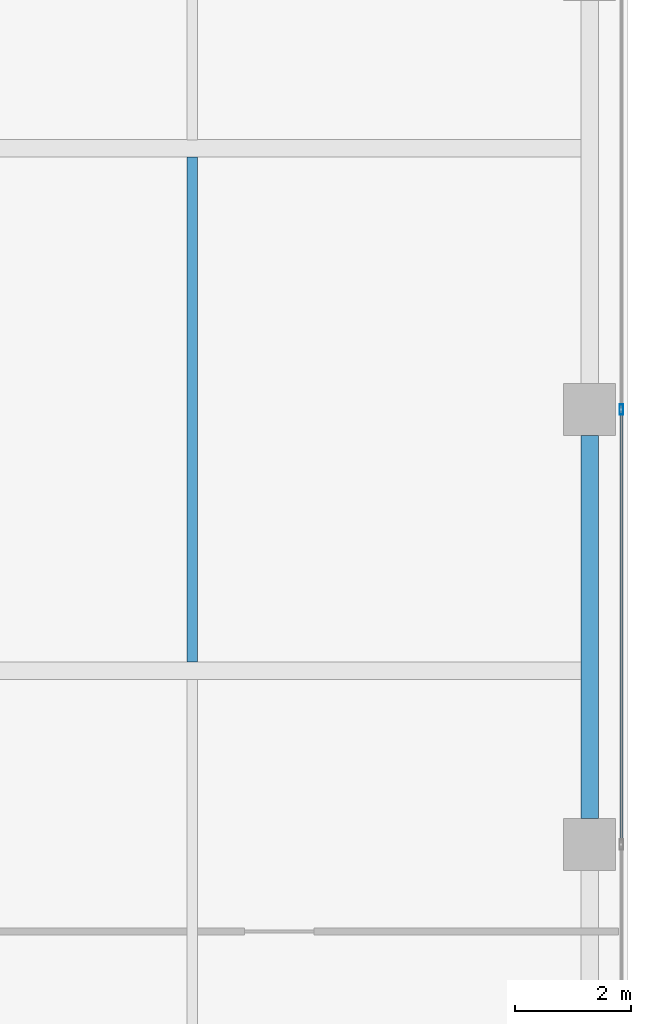
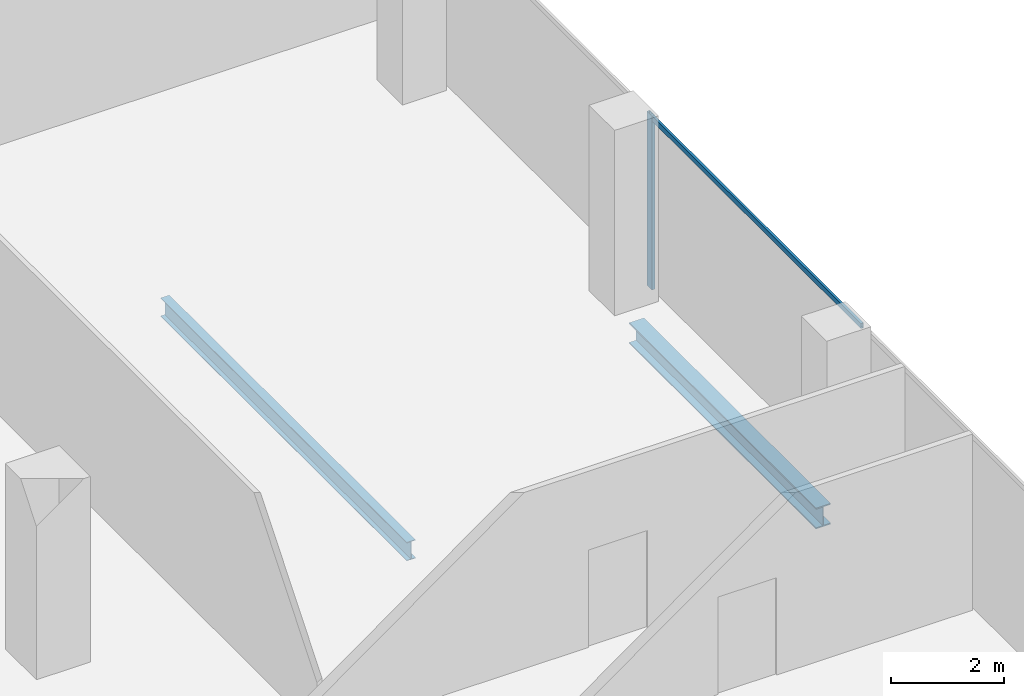
# One storey, part 13 of 35: 2 beams, 2 members, 1 element without a shape of its own.
"""IFC4 building model written with IfcOpenShell, lengths in metres."""

from ifc_helpers import new_model, si_unit, direction, frame, origin, origin_2d, place, context, subcontext, project, spatial, hollow_rectangle, i_section, extrude, source, transform, mapped, material, material_profile, profile_set, type_object, element, aggregate, save


model = new_model("IFC4")

# Units and contexts
model_context = context("Model", 3, precision=1e-05, world=origin(), true_north=direction((0.0, 1.0)))
body_context = subcontext(model_context, "Body", "Model", "MODEL_VIEW")
ifc_project = project(units=[si_unit("LENGTHUNIT", "METRE"), si_unit("AREAUNIT", "SQUARE_METRE"), si_unit("VOLUMEUNIT", "CUBIC_METRE"), si_unit("PLANEANGLEUNIT", "RADIAN"), si_unit("MASSUNIT", "GRAM", prefix="KILO")], contexts=[model_context])

# Site, building, storey
site_placement = place(None, origin())
site = spatial("IfcSite", under=ifc_project, at=site_placement, CompositionType="ELEMENT")
building_placement = place(site_placement, origin())
building = spatial("IfcBuilding", under=site, at=building_placement, Name="Khomas Fold Tower", CompositionType="ELEMENT")
storey_placement = place(building_placement, frame((0.0, 0.0, 270.199951171875)))
storey = spatial("IfcBuildingStorey", under=building, at=storey_placement, Name="L61", CompositionType="ELEMENT", Elevation=270.199951171875)

# Beams
ifc_material_1 = material(Name="Steel S355", Category="steel")
ifc_material_profile_1 = material_profile(ifc_material_1, i_section(OverallWidth=0.179931640625, OverallDepth=0.39990234375, WebThickness=0.008544921875, FlangeThickness=0.013427734375, at=origin_2d()), Name="IPE 400")
ifc_profile_set_1 = profile_set([ifc_material_profile_1], Name="Steel S355")
beam_type_1 = type_object("IfcBeamType", Name="IPE 400 beam JB3", PredefinedType="BEAM", material=ifc_profile_set_1)
shared_shape_1 = source(origin(), body_context, "Body", "SweptSolid", [
    extrude(i_section(OverallWidth=0.179931640625, OverallDepth=0.39990234375, WebThickness=0.008544921875, FlangeThickness=0.013427734375, at=origin_2d()), origin(), (0.0, 0.0, 1.0), 8.7001953125),
])
beam_1_placement = place(storey_placement, frame((42.0, 22.64990234375, -0.449951171875), z_axis=(0.0, 1.0, 0.0), x_axis=(-1.0, 0.0, 0.0)))
element("IfcBeam", 1, at=beam_1_placement, inside=storey, type_object=beam_type_1, Name="JB3", PredefinedType="BEAM", context=body_context, shape_type="MappedRepresentation", body=[
    mapped(shared_shape_1, transform((0.0, 0.0, 0.0))),
])
ifc_material_2 = material(Name="Steel S355", Category="steel")
ifc_material_profile_2 = material_profile(ifc_material_2, i_section(OverallWidth=0.300048828125, OverallDepth=0.449951171875, WebThickness=0.013916015625, FlangeThickness=0.02587890625, at=origin_2d()), Name="HE 450 B")
ifc_profile_set_2 = profile_set([ifc_material_profile_2], Name="Steel S355")
beam_type_2 = type_object("IfcBeamType", Name="HE 450 B spandrel SB4", PredefinedType="SPANDREL", material=ifc_profile_set_2)
shared_shape_2 = source(origin(), body_context, "Body", "SweptSolid", [
    extrude(i_section(OverallWidth=0.300048828125, OverallDepth=0.449951171875, WebThickness=0.013916015625, FlangeThickness=0.02587890625, at=origin_2d()), origin(), (0.0, 0.0, 1.0), 6.60009765625),
])
beam_2_placement = place(storey_placement, frame((48.85009765625, 19.949951171875, -0.474853515625), z_axis=(0.0, 1.0, 0.0), x_axis=(-1.0, 0.0, 0.0)))
element("IfcBeam", 2, at=beam_2_placement, inside=storey, type_object=beam_type_2, Name="SB4", PredefinedType="SPANDREL", context=body_context, shape_type="MappedRepresentation", body=[
    mapped(shared_shape_2, transform((0.0, 0.0, 0.0))),
])

# Curtain wall, members
ifc_material_3 = material(Name="Aluminium framed double glazing", Category="aluminium")
curtain_wall_type = type_object("IfcCurtainWallType", Name="SK-Unitised clear-glass wall, office floors CW2", PredefinedType="NOTDEFINED", material=ifc_material_3)
curtain_wall_placement = place(storey_placement, origin())
curtain_wall = element("IfcCurtainWall", 3, at=curtain_wall_placement, inside=storey, type_object=curtain_wall_type, Name="CW2 run L61 03-0", PredefinedType="NOTDEFINED")
ifc_material_4 = material(Name="Aluminium", Category="aluminium")
ifc_material_profile_3 = material_profile(ifc_material_4, hollow_rectangle(XDim=0.06005859375, YDim=0.179931640625, WallThickness=0.00390625, at=origin_2d()), Name="SK-Unitised clear-glass wall, office floors mullion CW2-M")
ifc_profile_set_3 = profile_set([ifc_material_profile_3], Name="Aluminium")
member_type_1 = type_object("IfcMemberType", Name="SK-Unitised clear-glass wall, office floors mullion CW2-M", PredefinedType="MULLION", material=ifc_profile_set_3)
shared_shape_3 = source(origin(), body_context, "Body", "SweptSolid", [
    extrude(hollow_rectangle(XDim=0.06005859375, YDim=0.179931640625, WallThickness=0.00390625, at=origin_2d()), origin(), (0.0, 0.0, 1.0), 3.75),
])
member_1_placement = place(storey_placement, frame((49.39990234375, 27.0, 0.0), z_axis=(0.0, 0.0, 1.0), x_axis=(-1.0, 0.0, 0.0)))
member_1 = element("IfcMember", 4, at=member_1_placement, type_object=member_type_1, Name="CW2 mullion 4", PredefinedType="MULLION", context=body_context, shape_type="MappedRepresentation", body=[
    mapped(shared_shape_3, transform((0.0, 0.0, 0.0))),
])
ifc_material_5 = material(Name="Aluminium", Category="aluminium")
ifc_material_profile_4 = material_profile(ifc_material_5, hollow_rectangle(XDim=0.050048828125, YDim=0.110107421875, WallThickness=0.00390625, at=origin_2d()), Name="SK-Unitised clear-glass wall, office floors transom CW2-T")
ifc_profile_set_4 = profile_set([ifc_material_profile_4], Name="Aluminium")
member_type_2 = type_object("IfcMemberType", Name="SK-Unitised clear-glass wall, office floors transom CW2-T", PredefinedType="USERDEFINED", material=ifc_profile_set_4)
shared_shape_4 = source(origin(), body_context, "Body", "SweptSolid", [
    extrude(hollow_rectangle(XDim=0.050048828125, YDim=0.110107421875, WallThickness=0.00390625, at=origin_2d()), origin(), (0.0, 0.0, 1.0), 7.43994140625),
])
member_2_placement = place(storey_placement, frame((49.39990234375, 19.530029296875, 3.695068359375), z_axis=(0.0, 1.0, 0.0), x_axis=(-1.0, 0.0, 0.0)))
member_2 = element("IfcMember", 5, at=member_2_placement, type_object=member_type_2, Name="CW2 transom 3", ObjectType="TRANSOM", PredefinedType="USERDEFINED", context=body_context, shape_type="MappedRepresentation", body=[
    mapped(shared_shape_4, transform((0.0, 0.0, 0.0))),
])
aggregate(curtain_wall, [member_1, member_2])

save(model, "model.ifc")
